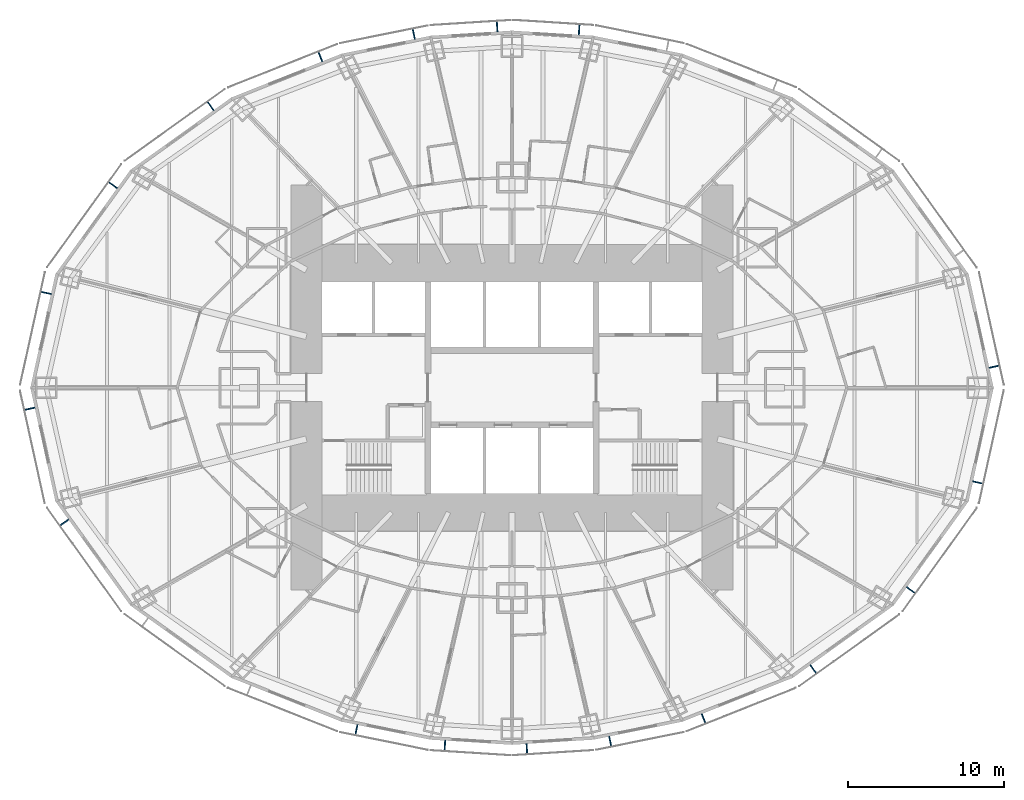
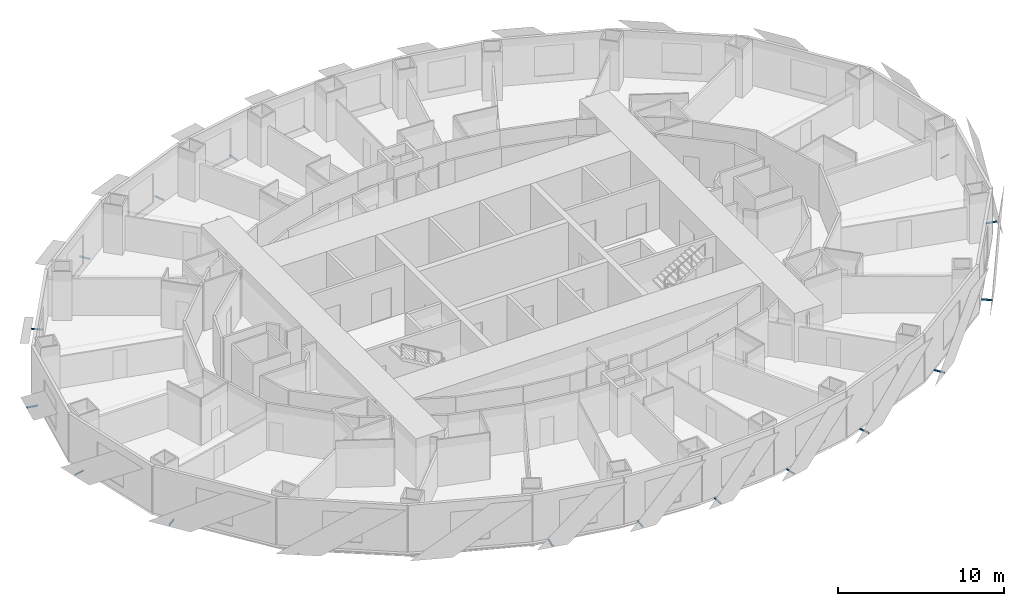
# One storey, part 11 of 15: 18 discrete accessories.
"""IFC4 building model written with IfcOpenShell, lengths in metres."""

from ifc_helpers import new_model, si_unit, direction, frame, origin, origin_2d, place, context, subcontext, project, spatial, rectangle, extrude, element, save


model = new_model("IFC4")

# Units and contexts
model_context = context("Model", 3, precision=1e-05, world=origin(), true_north=direction((0.0, 1.0)))
body_context = subcontext(model_context, "Body", "Model", "MODEL_VIEW")
ifc_project = project(units=[si_unit("LENGTHUNIT", "METRE"), si_unit("AREAUNIT", "SQUARE_METRE"), si_unit("VOLUMEUNIT", "CUBIC_METRE"), si_unit("PLANEANGLEUNIT", "RADIAN"), si_unit("MASSUNIT", "GRAM", prefix="KILO")], contexts=[model_context])

# Site, building, storey
site_placement = place(None, origin())
site = spatial("IfcSite", under=ifc_project, at=site_placement, CompositionType="ELEMENT")
building_placement = place(site_placement, origin())
building = spatial("IfcBuilding", under=site, at=building_placement, Name="Lantaw Convention Tower", CompositionType="ELEMENT")
storey_placement = place(building_placement, frame((0.0, 0.0, 51.39990234375)))
storey = spatial("IfcBuildingStorey", under=building, at=storey_placement, Name="L10", CompositionType="ELEMENT", Elevation=51.39990234375)

# Discrete accessories
for number, where, z_axis, x_axis, name in (
    (1, (30.967529296875, 1.35009765625, -0.114990234375), (0.0, 0.0, 1.0), (-0.215246056391, 0.976559847223, 0.0), "Screen bracket"),
    (2, (4.310302734375, 22.987548828125, -0.114990234375), (0.0, 0.0, 1.0), (-0.998016153807, 0.062958373078, 0.0), "Screen bracket"),
    (3, (-0.9560546875, 23.19921875, -0.114990234375), (0.0, 0.0, 1.0), (-0.998016153807, -0.062958373078, 0.0), "Screen bracket"),
    (4, (-6.307861328125, 22.71728515625, -0.114990234375), (0.0, 0.0, 1.0), (-0.980244604501, -0.197789067813, 0.0), "Screen bracket"),
    (5, (-12.309814453125, 21.25732421875, -0.114990234375), (0.0, 0.0, 1.0), (-0.929361152748, -0.369171840425, 0.0), "Screen bracket"),
    (6, (-19.352294921875, 18.085205078125, -0.114990234375), (0.0, 0.0, 1.0), (-0.812803733199, -0.5825376308, 0.0), "Screen bracket"),
    (7, (-25.61962890625, 13.004638671875, -0.114990234375), (0.0, 0.0, 1.0), (-0.583951250436, -0.811788726895, 0.0), "Screen bracket"),
    (8, (-29.92333984375, 6.087890625, -0.114990234375), (0.0, 0.0, 1.0), (-0.215246056391, -0.976559847223, 0.0), "Screen bracket"),
    (9, (-30.967529296875, -1.35009765625, -0.114990234375), (0.0, 0.0, 1.0), (0.215246056391, -0.976559847223, 0.0), "Screen bracket"),
    (10, (-28.745849609375, -8.65869140625, -0.114990234375), (0.0, 0.0, 1.0), (0.583951250436, -0.811788726895, 0.0), "Screen bracket"),
    (11, (-9.990478515625, -21.974365234375, -0.114990234375), (0.0, 0.0, 1.0), (0.980244604501, -0.197789067813, 0.0), "Screen bracket"),
    (12, (-4.310302734375, -22.987548828125, -0.114990234375), (0.0, 0.0, 1.0), (0.998016153807, -0.062958373078, 0.0), "Screen bracket"),
    (13, (0.9560546875, -23.19921875, -0.114990234375), (0.0, 0.0, 1.0), (0.998016153807, 0.062958373078, 0.0), "Screen bracket"),
    (14, (6.307861328125, -22.71728515625, -0.114990234375), (0.0, 0.0, 1.0), (0.980244604501, 0.197789067813, 0.0), "Screen bracket"),
    (15, (12.309814453125, -21.25732421875, -0.114990234375), (0.0, 0.0, 1.0), (0.929361152748, 0.369171840425, 0.0), "Screen bracket"),
    (16, (19.352294921875, -18.085205078125, -0.114990234375), (0.0, 0.0, 1.0), (0.812803733199, 0.5825376308, 0.0), "Screen bracket"),
    (17, (25.61962890625, -13.004638671875, -0.114990234375), (0.0, 0.0, 1.0), (0.583951250436, 0.811788726895, 0.0), "Screen bracket"),
    (18, (29.92333984375, -6.087890625, -0.114990234375), (0.0, 0.0, 1.0), (0.215246056391, 0.976559847223, 0.0), "Screen bracket"),
):
    element("IfcDiscreteAccessory", number, at=place(storey_placement, frame(where, z_axis=z_axis, x_axis=x_axis)), inside=storey, Name=name, PredefinedType="BRACKET", context=body_context, shape_type="SweptSolid", body=[
        extrude(rectangle(XDim=0.080078125, YDim=0.68798828125, at=origin_2d()), origin(), (0.0, 0.0, 1.0), 0.080078125),
    ])

save(model, "model.ifc")
